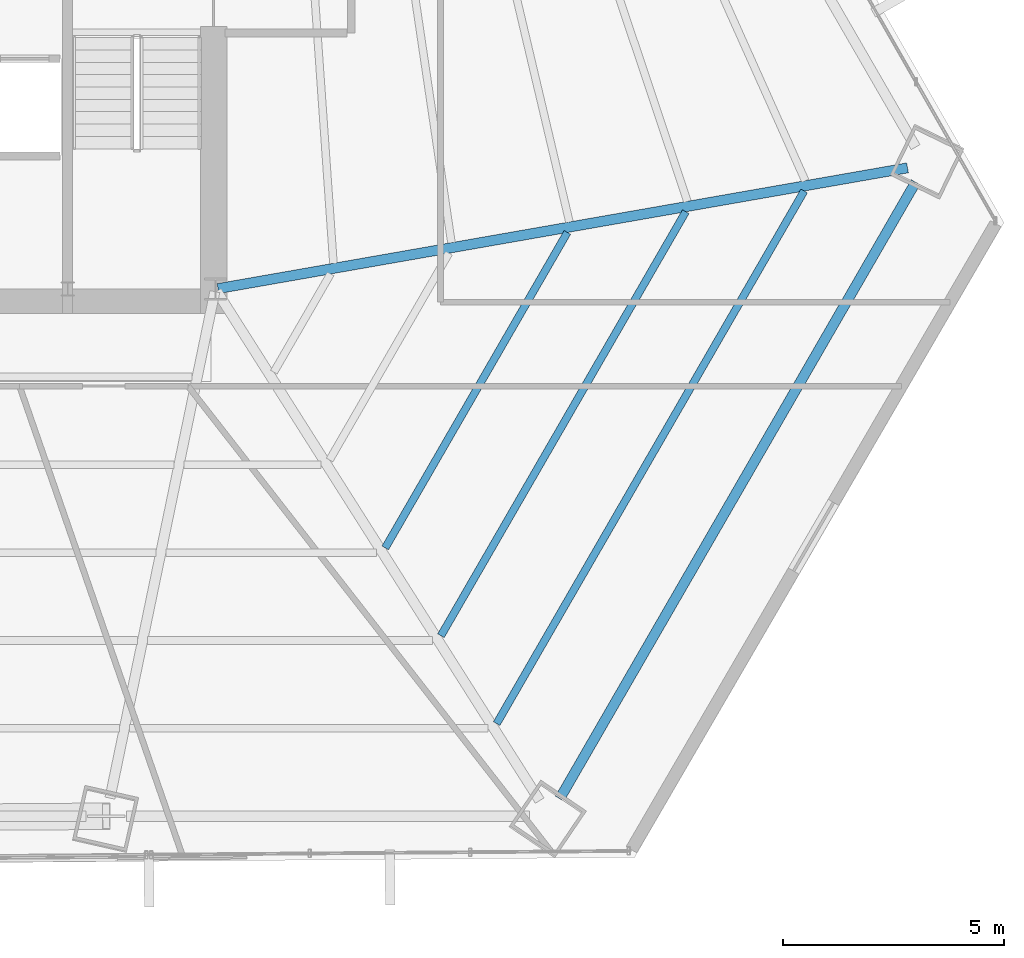
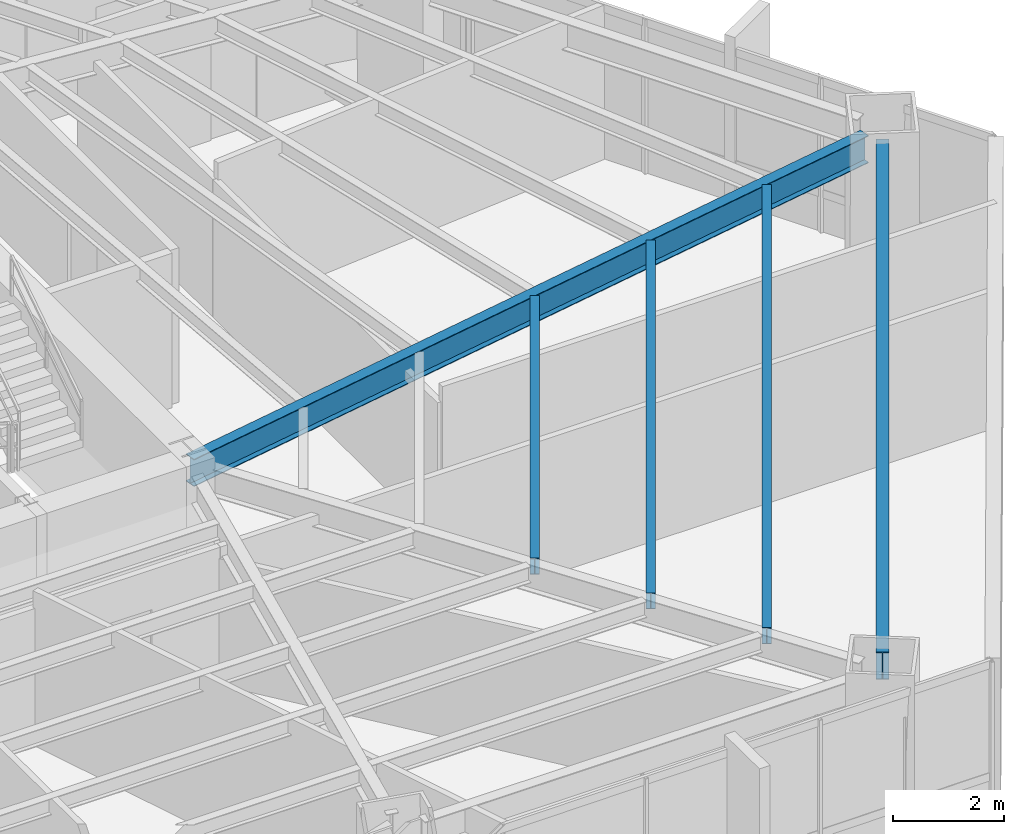
# One storey, part 18 of 34: 5 beams.
"""IFC4 building model written with IfcOpenShell, lengths in metres."""

import ifcopenshell
import ifcopenshell.guid

model = None  # the IFC model being written
_history = None  # IfcOwnerHistory: only IFC2X3 demands one
_inside = {}  # id of a spatial element -> (the spatial element, [elements in it])
_under = {}  # id of a project, library or spatial element -> (it, [spatial elements below it])
_declared = {}  # id of a project -> (the project, [libraries it declares])
_typed = {}  # id of a type object -> (the type object, [elements of that type])
_made_of = {}  # id of a material, layer set ... -> (it, [elements and type objects made of it])


def new_model(schema):
    """Start an empty IFC model of exactly this schema.

    Asked for "IFC4X3", IfcOpenShell would pick the latest addendum, in which some entities
    have other attributes; the version numbers below select the first issue.
    IFC2X3 requires an IfcOwnerHistory on every rooted entity: one is made here for all.
    """
    global model, _history
    if schema == "IFC4X3":
        model = ifcopenshell.file(schema_version=(4, 3, 0, 0))
    else:
        model = ifcopenshell.file(schema=schema)
    _inside.clear()
    _under.clear()
    _declared.clear()
    _typed.clear()
    _made_of.clear()
    _history = None
    if model.schema == "IFC2X3":
        org = make("IfcOrganization", Name="unknown")
        user = make(
            "IfcPersonAndOrganization",
            ThePerson=make("IfcPerson", FamilyName="unknown"),
            TheOrganization=org,
        )
        app = make(
            "IfcApplication",
            ApplicationDeveloper=org,
            Version="unknown",
            ApplicationFullName="unknown",
            ApplicationIdentifier="unknown",
        )
        _history = make(
            "IfcOwnerHistory",
            OwningUser=user,
            OwningApplication=app,
            ChangeAction="ADDED",
            CreationDate=0,
        )
    return model


def make(cls, **values):
    """One entity of the class cls with the attributes given. An attribute that is None is left unset."""
    return model.create_entity(
        cls, **{name: value for name, value in values.items() if value is not None}
    )


def rooted(cls, **values):
    """An entity with a GlobalId (a new one), such as an element, a storey or a relation."""
    return make(cls, GlobalId=ifcopenshell.guid.new(), OwnerHistory=_history, **values)


def si_unit(unit_type, name, prefix=None):
    """IfcSIUnit, for example si_unit("LENGTHUNIT", "METRE", prefix="MILLI")."""
    return make("IfcSIUnit", UnitType=unit_type, Prefix=prefix, Name=name)


def assignment(units):
    """IfcUnitAssignment: the units of a project."""
    return None if units is None else make("IfcUnitAssignment", Units=units)


def point(xyz):
    """IfcCartesianPoint."""
    return None if xyz is None else make("IfcCartesianPoint", Coordinates=xyz)


def direction(xyz):
    """IfcDirection."""
    return None if xyz is None else make("IfcDirection", DirectionRatios=xyz)


def frame(location, z_axis=None, x_axis=None):
    """IfcAxis2Placement3D, a coordinate frame: its origin and axes. An axis left out is left unset."""
    return make(
        "IfcAxis2Placement3D",
        Location=point(location),
        Axis=direction(z_axis),
        RefDirection=direction(x_axis),
    )


def frame_2d(location, x_axis=None):
    """IfcAxis2Placement2D, a coordinate frame in the plane: its origin and x axis."""
    return make(
        "IfcAxis2Placement2D", Location=point(location), RefDirection=direction(x_axis)
    )


def origin():
    """The frame at (0, 0, 0) with its axes left unset."""
    return frame((0.0, 0.0, 0.0))


def origin_2d():
    """The frame at (0, 0) in the plane with its x axis left unset."""
    return frame_2d((0.0, 0.0))


def place(relative_to, where):
    """IfcLocalPlacement: puts the frame where relative to a parent placement (None: the world)."""
    return make(
        "IfcLocalPlacement", PlacementRelTo=relative_to, RelativePlacement=where
    )


def context(
    kind, dimensions, precision=None, world=None, true_north=None, identifier=None
):
    """IfcGeometricRepresentationContext, for example the 3D "Model" context."""
    return make(
        "IfcGeometricRepresentationContext",
        ContextIdentifier=identifier,
        ContextType=kind,
        CoordinateSpaceDimension=dimensions,
        Precision=precision,
        WorldCoordinateSystem=world,
        TrueNorth=true_north,
    )


def subcontext(parent, identifier, kind, view, scale=None):
    """IfcGeometricRepresentationSubContext, for example "Body" below "Model"."""
    return make(
        "IfcGeometricRepresentationSubContext",
        ContextIdentifier=identifier,
        ContextType=kind,
        ParentContext=parent,
        TargetScale=scale,
        TargetView=view,
    )


def project(units=None, contexts=None):
    """IfcProject with its units and contexts."""
    return rooted(
        "IfcProject",
        Name="project",
        RepresentationContexts=contexts,
        UnitsInContext=assignment(units),
    )


def spatial(cls, under=None, at=None, **own):
    """A site, building, storey or space (cls), placed at a placement, below another one or the project."""
    s = rooted(cls, ObjectPlacement=at, **own)
    if under is not None:
        _under.setdefault(under.id(), (under, []))[1].append(s)
    return s


def profile(cls, at=None, kind="AREA", **sizes):
    """A parametric profile (cls). Its sizes go by their IFC names, for example OverallWidth=200.0."""
    return make(cls, ProfileType=kind, Position=at, **sizes)


def i_section(**sizes):
    """IfcIShapeProfileDef."""
    return profile("IfcIShapeProfileDef", **sizes)


def extrude(swept, where, along, depth):
    """IfcExtrudedAreaSolid: the profile swept, set in the frame where, extruded along a direction by depth."""
    return make(
        "IfcExtrudedAreaSolid",
        SweptArea=swept,
        Position=where,
        ExtrudedDirection=direction(along),
        Depth=depth,
    )


def shape(context_of_items, identifier, shape_type, items):
    """IfcShapeRepresentation: the items that make up one representation, for example the "Body"."""
    return make(
        "IfcShapeRepresentation",
        ContextOfItems=context_of_items,
        RepresentationIdentifier=identifier,
        RepresentationType=shape_type,
        Items=items,
    )


def source(mapping_origin, context_of_items, identifier, shape_type, items):
    """IfcRepresentationMap: a shape defined once, which mapped items show again and again."""
    return make(
        "IfcRepresentationMap",
        MappingOrigin=mapping_origin,
        MappedRepresentation=shape(context_of_items, identifier, shape_type, items),
    )


def transform(
    local_origin,
    x_axis=None,
    y_axis=None,
    z_axis=None,
    scale=None,
    scale2=None,
    scale3=None,
    uniform=True,
):
    """IfcCartesianTransformationOperator3D, or its non-uniform kind. x_axis, y_axis, z_axis: its Axis1, 2, 3."""
    if uniform:
        return make(
            "IfcCartesianTransformationOperator3D",
            Axis1=direction(x_axis),
            Axis2=direction(y_axis),
            LocalOrigin=point(local_origin),
            Scale=scale,
            Axis3=direction(z_axis),
        )
    return make(
        "IfcCartesianTransformationOperator3DnonUniform",
        Axis1=direction(x_axis),
        Axis2=direction(y_axis),
        LocalOrigin=point(local_origin),
        Scale=scale,
        Axis3=direction(z_axis),
        Scale2=scale2,
        Scale3=scale3,
    )


def mapped(mapping_source, mapping_target):
    """IfcMappedItem: shows the shape of a source again, moved by a transform."""
    return make(
        "IfcMappedItem", MappingSource=mapping_source, MappingTarget=mapping_target
    )


def material(Name=None, Category=None):
    """IfcMaterial."""
    return make("IfcMaterial", Name=Name, Category=Category)


def material_profile(
    of_material, cross_section, Name=None, Category=None, Priority=None
):
    """IfcMaterialProfile: a cross section and its material."""
    return make(
        "IfcMaterialProfile",
        Name=Name,
        Material=of_material,
        Profile=cross_section,
        Priority=Priority,
        Category=Category,
    )


def profile_set(profiles, Name=None, composite=None):
    """IfcMaterialProfileSet."""
    return make(
        "IfcMaterialProfileSet",
        Name=Name,
        MaterialProfiles=profiles,
        CompositeProfile=composite,
    )


def made_of(thing, what):
    """Note that an element or type object is made of a material, layer set ...; save() writes the relation."""
    if what is not None:
        _made_of.setdefault(what.id(), (what, []))[1].append(thing)
    return thing


def type_object(cls, material=None, **own):
    """A type object (cls), such as IfcWallType, which elements share."""
    return made_of(rooted(cls, **own), material)


def type_shapes(of_type, sources):
    """Give a type object the sources (RepresentationMaps) that its elements show as mapped items."""
    of_type.RepresentationMaps = sources


def element(
    cls,
    number,
    at=None,
    inside=None,
    cuts=None,
    type_object=None,
    material=None,
    context=None,
    identifier="Body",
    shape_type=None,
    held_by="IfcProductDefinitionShape",
    body=None,
    shapes=None,
    **own,
):
    """One element of the class cls, such as IfcWall. Its Tag is "e" and its number.

    at: its placement. inside: the storey or other place that contains it. cuts: it is an
    opening in that element (IfcRelVoidsElement). A single representation is given by context,
    identifier, shape_type and body (its items); several are given by shapes. held_by: the class
    of the entity that holds the representations. save() writes the other relations.
    """
    e = rooted(cls, Tag="e%d" % number, ObjectPlacement=at, **own)
    if body is not None:
        shapes = [shape(context, identifier, shape_type, body)]
    if shapes is not None:
        e.Representation = make(held_by, Representations=shapes)
    if inside is not None:
        _inside.setdefault(inside.id(), (inside, []))[1].append(e)
    if cuts is not None:
        rooted(
            "IfcRelVoidsElement", RelatingBuildingElement=cuts, RelatedOpeningElement=e
        )
    if type_object is not None:
        _typed.setdefault(type_object.id(), (type_object, []))[1].append(e)
    return made_of(e, material)


def aggregate(whole, parts):
    """IfcRelAggregates: a whole, such as a stair, and the parts it consists of."""
    return rooted("IfcRelAggregates", RelatingObject=whole, RelatedObjects=parts)


def save(model, path):
    """Write the relations noted so far, then the file.

    IfcRelAggregates (storeys below a building ...), IfcRelContainedInSpatialStructure (elements
    in a storey), IfcRelDefinesByType, IfcRelAssociatesMaterial and IfcRelDeclares: one each for
    every whole, place, type object, material and project.
    """
    for whole, parts in _under.values():
        aggregate(whole, parts)
    for where, things in _inside.values():
        rooted(
            "IfcRelContainedInSpatialStructure",
            RelatedElements=things,
            RelatingStructure=where,
        )
    for kind, things in _typed.values():
        rooted("IfcRelDefinesByType", RelatedObjects=things, RelatingType=kind)
    for what, things in _made_of.values():
        rooted("IfcRelAssociatesMaterial", RelatedObjects=things, RelatingMaterial=what)
    for by, libraries in _declared.values():
        rooted("IfcRelDeclares", RelatingContext=by, RelatedDefinitions=libraries)
    model.write(path)


model = new_model("IFC4")

# Units and contexts
model_context = context("Model", 3, precision=1e-05, world=origin(), true_north=direction((0.0, 1.0)))
body_context = subcontext(model_context, "Body", "Model", "MODEL_VIEW")
ifc_project = project(units=[si_unit("LENGTHUNIT", "METRE"), si_unit("AREAUNIT", "SQUARE_METRE"), si_unit("VOLUMEUNIT", "CUBIC_METRE"), si_unit("PLANEANGLEUNIT", "RADIAN"), si_unit("MASSUNIT", "GRAM", prefix="KILO")], contexts=[model_context])

# Site, building, storey
site_placement = place(None, origin())
site = spatial("IfcSite", under=ifc_project, at=site_placement, CompositionType="ELEMENT")
building_placement = place(site_placement, origin())
building = spatial("IfcBuilding", under=site, at=building_placement, Name="Caelisora Broadcast Tower", CompositionType="ELEMENT")
storey_placement = place(building_placement, frame((0.0, 0.0, 56.800048828125)))
storey = spatial("IfcBuildingStorey", under=building, at=storey_placement, Name="L14", CompositionType="ELEMENT", Elevation=56.800048828125)

# Beams
ifc_material = material(Name="Steel Grade 350 (AS/NZS 3679.1)", Category="steel")
ifc_material_profile_1 = material_profile(ifc_material, i_section(OverallWidth=0.22900390625, OverallDepth=0.611572265625, WebThickness=0.011962890625, FlangeThickness=0.01953125, at=origin_2d()), Name="Steel Grade 350 (AS/NZS 3679.1)")
ifc_profile_set_1 = profile_set([ifc_material_profile_1], Name="Steel Grade 350 (AS/NZS 3679.1)")
beam_type_1 = type_object("IfcBeamType", Name="PG03", PredefinedType="BEAM", material=ifc_profile_set_1)
shared_shape_1 = source(origin(), body_context, "Body", "SweptSolid", [
    extrude(i_section(OverallWidth=0.22900390625, OverallDepth=0.611572265625, WebThickness=0.011962890625, FlangeThickness=0.01953125, at=origin_2d()), origin(), (0.0, 0.0, 1.0), 16.133544921875),
])
type_shapes(beam_type_1, [shared_shape_1])
beam_1_placement = place(storey_placement, frame((53.3046875, 5.84912109375, 3.09423828125), z_axis=(0.500009322877, 0.866020021152, 0.0), x_axis=(-0.866020021152, 0.500009322877, 0.0)))
element("IfcBeam", 1, at=beam_1_placement, inside=storey, type_object=beam_type_1, Name="L14 beam PG03", PredefinedType="BEAM", context=body_context, shape_type="MappedRepresentation", body=[
    mapped(shared_shape_1, transform((0.0, 0.0, 0.0), scale=1.0)),
])
ifc_material_profile_2 = material_profile(ifc_material, i_section(OverallWidth=0.22802734375, OverallDepth=0.602294921875, WebThickness=0.010498046875, FlangeThickness=0.014892578125, at=origin_2d()), Name="Steel Grade 350 (AS/NZS 3679.1)")
ifc_profile_set_2 = profile_set([ifc_material_profile_2], Name="Steel Grade 350 (AS/NZS 3679.1)")
beam_type_2 = type_object("IfcBeamType", Name="PG04", PredefinedType="BEAM", material=ifc_profile_set_2)
shared_shape_2 = source(origin(), body_context, "Body", "SweptSolid", [
    extrude(i_section(OverallWidth=0.22802734375, OverallDepth=0.602294921875, WebThickness=0.010498046875, FlangeThickness=0.014892578125, at=origin_2d()), origin(), (0.0, 0.0, 1.0), 15.86669921875),
])
type_shapes(beam_type_2, [shared_shape_2])
beam_2_placement = place(storey_placement, frame((45.55908203125, 17.410400390625, 3.098876953125), z_axis=(0.985011649822, 0.172487824833, 0.0), x_axis=(-0.172487824833, 0.985011649822, 0.0)))
element("IfcBeam", 2, at=beam_2_placement, inside=storey, type_object=beam_type_2, Name="L14 beam PG04", PredefinedType="BEAM", context=body_context, shape_type="MappedRepresentation", body=[
    mapped(shared_shape_2, transform((0.0, 0.0, 0.0), scale=1.0)),
])
ifc_material_profile_3 = material_profile(ifc_material, i_section(OverallWidth=0.172119140625, OverallDepth=0.358642578125, WebThickness=0.008056640625, FlangeThickness=0.012939453125, at=origin_2d()), Name="Steel Grade 350 (AS/NZS 3679.1)")
ifc_profile_set_3 = profile_set([ifc_material_profile_3], Name="Steel Grade 350 (AS/NZS 3679.1)")
beam_type_3 = type_object("IfcBeamType", Name="SB02", PredefinedType="JOIST", material=ifc_profile_set_3)
shared_shape_3 = source(origin(), body_context, "Body", "SweptSolid", [
    extrude(i_section(OverallWidth=0.172119140625, OverallDepth=0.358642578125, WebThickness=0.008056640625, FlangeThickness=0.012939453125, at=origin_2d()), origin(), (0.0, 0.0, 1.0), 8.25537109375),
])
beam_3_placement = place(storey_placement, frame((49.350341796875, 11.5341796875, 3.220703125), z_axis=(0.499975040604, 0.866039813619, 0.0), x_axis=(-0.866039813619, 0.499975040604, 0.0)))
element("IfcBeam", 3, at=beam_3_placement, inside=storey, type_object=beam_type_3, Name="L14 beam SB02", PredefinedType="JOIST", context=body_context, shape_type="MappedRepresentation", body=[
    mapped(shared_shape_3, transform((0.0, 0.0, 0.0), scale=1.0)),
])
shared_shape_4 = source(origin(), body_context, "Body", "SweptSolid", [
    extrude(i_section(OverallWidth=0.172119140625, OverallDepth=0.358642578125, WebThickness=0.008056640625, FlangeThickness=0.012939453125, at=origin_2d()), origin(), (0.0, 0.0, 1.0), 11.09765625),
])
beam_4_placement = place(storey_placement, frame((50.61279296875, 9.542724609375, 3.220703125), z_axis=(0.500000483486, 0.866025124644, 0.0), x_axis=(-0.866025124644, 0.500000483486, 0.0)))
element("IfcBeam", 4, at=beam_4_placement, inside=storey, type_object=beam_type_3, Name="L14 beam SB02", PredefinedType="JOIST", context=body_context, shape_type="MappedRepresentation", body=[
    mapped(shared_shape_4, transform((0.0, 0.0, 0.0), scale=1.0)),
])
shared_shape_5 = source(origin(), body_context, "Body", "SweptSolid", [
    extrude(i_section(OverallWidth=0.172119140625, OverallDepth=0.358642578125, WebThickness=0.008056640625, FlangeThickness=0.012939453125, at=origin_2d()), origin(), (0.0, 0.0, 1.0), 13.93994140625),
])
type_shapes(beam_type_3, [shared_shape_3, shared_shape_4, shared_shape_5])
beam_5_placement = place(storey_placement, frame((51.875244140625, 7.551025390625, 3.220703125), z_axis=(0.50000241545, 0.866024009219, 0.0), x_axis=(-0.866024009219, 0.50000241545, 0.0)))
element("IfcBeam", 5, at=beam_5_placement, inside=storey, type_object=beam_type_3, Name="L14 beam SB02", PredefinedType="JOIST", context=body_context, shape_type="MappedRepresentation", body=[
    mapped(shared_shape_5, transform((0.0, 0.0, 0.0), scale=1.0)),
])

save(model, "model.ifc")
